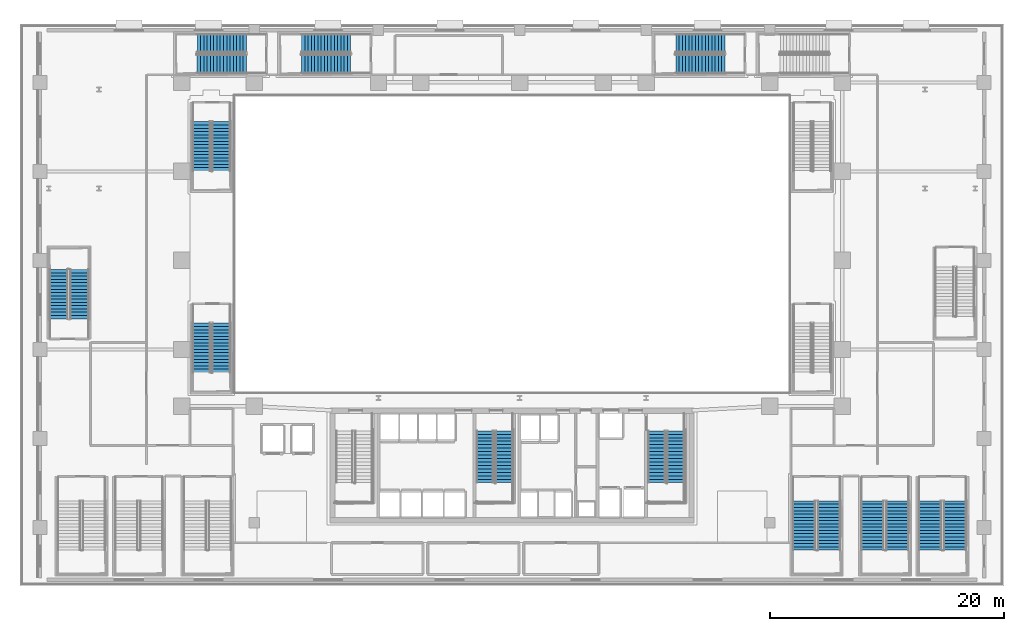
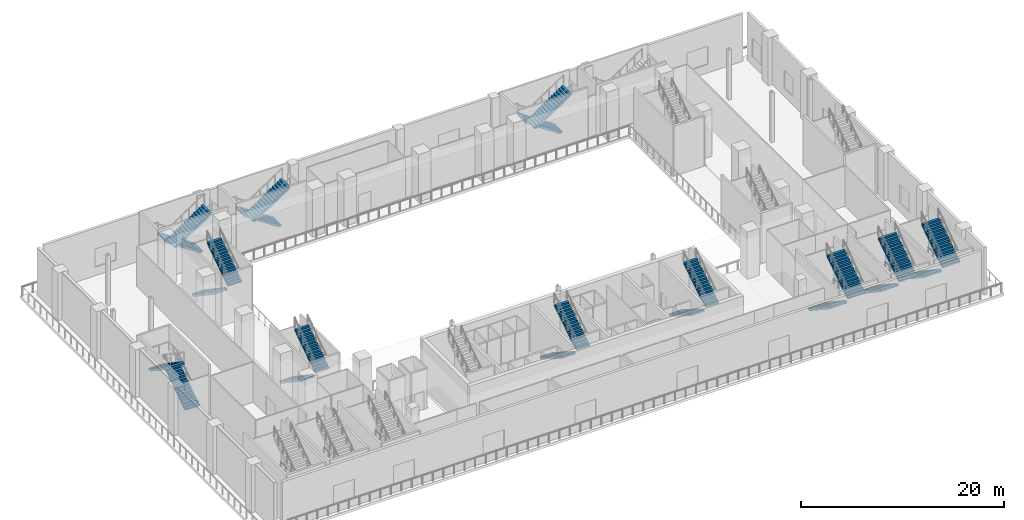
# One storey, part 13 of 29: 22 stair flights, 11 elements without a shape of their own.
"""IFC4 building model written with IfcOpenShell, lengths in metres."""

from ifc_helpers import new_model, si_unit, direction, frame, origin, place, context, subcontext, project, spatial, polyline, outline, extrude, material, type_object, element, aggregate, save


model = new_model("IFC4")

# Units and contexts
model_context = context("Model", 3, precision=1e-05, world=origin(), true_north=direction((0.0, 1.0)))
body_context = subcontext(model_context, "Body", "Model", "MODEL_VIEW")
ifc_project = project(units=[si_unit("LENGTHUNIT", "METRE"), si_unit("AREAUNIT", "SQUARE_METRE"), si_unit("VOLUMEUNIT", "CUBIC_METRE"), si_unit("PLANEANGLEUNIT", "RADIAN"), si_unit("MASSUNIT", "GRAM", prefix="KILO")], contexts=[model_context])

# Site, building, storey
site_placement = place(None, origin())
site = spatial("IfcSite", under=ifc_project, at=site_placement, CompositionType="ELEMENT")
building_placement = place(site_placement, origin())
building = spatial("IfcBuilding", under=site, at=building_placement, Name="Ndaravel Arena Tower", CompositionType="ELEMENT")
storey_placement = place(building_placement, frame((0.0, 0.0, 12.0)))
storey = spatial("IfcBuildingStorey", under=building, at=storey_placement, Name="L02", CompositionType="ELEMENT", Elevation=12.0)

# Stair, stair flights
ifc_material_1 = material(Name="Concrete C40/50", Category="concrete")
stair_type_1 = type_object("IfcStairType", Name="STAIR-ARENA-HT", PredefinedType="HALF_TURN_STAIR", material=ifc_material_1)
stair_1_placement = place(storey_placement, origin())
stair_1 = element("IfcStair", 1, at=stair_1_placement, inside=storey, type_object=stair_type_1, Name="L02 ST-A04", PredefinedType="HALF_TURN_STAIR")
ifc_material_2 = material(Name="Concrete C40/50", Category="concrete")
stair_flight_type_1 = type_object("IfcStairFlightType", Name="SFLIGHT-ARENA-1980", PredefinedType="STRAIGHT", material=ifc_material_2)
stair_flight_1_placement = place(storey_placement, frame((66.93994140625, 7.27001953125, 0.0), z_axis=(0.0, 0.0, 1.0), x_axis=(0.0, -1.0, 0.0)))
stair_flight_1 = element("IfcStairFlight", 2, at=stair_flight_1_placement, type_object=stair_flight_type_1, Name="ST-A04 flight 1", NumberOfRisers=16, NumberOfTreads=15, PredefinedType="STRAIGHT", RiserHeight=0.1875, TreadLength=0.28, context=body_context, shape_type="SweptSolid", body=[
    extrude(outline(polyline([(0.0, 0.0), (0.0, 0.1875), (0.280029296875, 0.1875), (0.280029296875, 0.375), (0.56005859375, 0.375), (0.56005859375, 0.5625), (0.840087890625, 0.5625), (0.840087890625, 0.75), (1.1201171875, 0.75), (1.1201171875, 0.9375), (1.39990234375, 0.9375), (1.39990234375, 1.125), (1.679931640625, 1.125), (1.679931640625, 1.3125), (1.9599609375, 1.3125), (1.9599609375, 1.5), (2.239990234375, 1.5), (2.239990234375, 1.6875), (2.52001953125, 1.6875), (2.52001953125, 1.875), (2.800048828125, 1.875), (2.800048828125, 2.0625), (3.080078125, 2.0625), (3.080078125, 2.25), (3.360107421875, 2.25), (3.360107421875, 2.4375), (3.639892578125, 2.4375), (3.639892578125, 2.625), (3.919921875, 2.625), (3.919921875, 2.8125), (4.199951171875, 2.8125), (4.199951171875, 3.0), (4.199951171875, 2.57177734375), (0.359375, 0.0), (0.0, 0.0)])), frame((0.0, 0.989990234375, 0.0), z_axis=(0.0, -1.0, 0.0), x_axis=(1.0, 0.0, 0.0)), (0.0, 0.0, 1.0), 1.97998046875),
])
stair_flight_2_placement = place(storey_placement, frame((69.06005859375, 3.070068359375, 3.0), z_axis=(0.0, 0.0, 1.0), x_axis=(0.0, 1.0, 0.0)))
stair_flight_2 = element("IfcStairFlight", 3, at=stair_flight_2_placement, type_object=stair_flight_type_1, Name="ST-A04 flight 2", NumberOfRisers=16, NumberOfTreads=15, PredefinedType="STRAIGHT", RiserHeight=0.1875, TreadLength=0.28, context=body_context, shape_type="SweptSolid", body=[
    extrude(outline(polyline([(0.0, 0.0), (0.0, 0.1875), (0.280029296875, 0.1875), (0.280029296875, 0.375), (0.56005859375, 0.375), (0.56005859375, 0.5625), (0.840087890625, 0.5625), (0.840087890625, 0.75), (1.1201171875, 0.75), (1.1201171875, 0.9375), (1.39990234375, 0.9375), (1.39990234375, 1.125), (1.679931640625, 1.125), (1.679931640625, 1.3125), (1.9599609375, 1.3125), (1.9599609375, 1.5), (2.239990234375, 1.5), (2.239990234375, 1.6875), (2.52001953125, 1.6875), (2.52001953125, 1.875), (2.800048828125, 1.875), (2.800048828125, 2.0625), (3.080078125, 2.0625), (3.080078125, 2.25), (3.360107421875, 2.25), (3.360107421875, 2.4375), (3.639892578125, 2.4375), (3.639892578125, 2.625), (3.919921875, 2.625), (3.919921875, 2.8125), (4.199951171875, 2.8125), (4.199951171875, 3.0), (4.199951171875, 2.57177734375), (0.359375, 0.0), (0.0, 0.0)])), frame((0.0, 0.989990234375, 0.0), z_axis=(0.0, -1.0, 0.0), x_axis=(1.0, 0.0, 0.0)), (0.0, 0.0, 1.0), 1.97998046875),
])
aggregate(stair_1, [stair_flight_1, stair_flight_2])

stair_2_placement = place(storey_placement, origin())
stair_2 = element("IfcStair", 4, at=stair_2_placement, inside=storey, type_object=stair_type_1, Name="L02 ST-A05", PredefinedType="HALF_TURN_STAIR")
stair_flight_3_placement = place(storey_placement, frame((72.7900390625, 7.27001953125, 0.0), z_axis=(0.0, 0.0, 1.0), x_axis=(0.0, -1.0, 0.0)))
stair_flight_3 = element("IfcStairFlight", 5, at=stair_flight_3_placement, type_object=stair_flight_type_1, Name="ST-A05 flight 1", NumberOfRisers=16, NumberOfTreads=15, PredefinedType="STRAIGHT", RiserHeight=0.1875, TreadLength=0.28, context=body_context, shape_type="SweptSolid", body=[
    extrude(outline(polyline([(0.0, 0.0), (0.0, 0.1875), (0.280029296875, 0.1875), (0.280029296875, 0.375), (0.56005859375, 0.375), (0.56005859375, 0.5625), (0.840087890625, 0.5625), (0.840087890625, 0.75), (1.1201171875, 0.75), (1.1201171875, 0.9375), (1.39990234375, 0.9375), (1.39990234375, 1.125), (1.679931640625, 1.125), (1.679931640625, 1.3125), (1.9599609375, 1.3125), (1.9599609375, 1.5), (2.239990234375, 1.5), (2.239990234375, 1.6875), (2.52001953125, 1.6875), (2.52001953125, 1.875), (2.800048828125, 1.875), (2.800048828125, 2.0625), (3.080078125, 2.0625), (3.080078125, 2.25), (3.360107421875, 2.25), (3.360107421875, 2.4375), (3.639892578125, 2.4375), (3.639892578125, 2.625), (3.919921875, 2.625), (3.919921875, 2.8125), (4.199951171875, 2.8125), (4.199951171875, 3.0), (4.199951171875, 2.57177734375), (0.359375, 0.0), (0.0, 0.0)])), frame((0.0, 0.989990234375, 0.0), z_axis=(0.0, -1.0, 0.0), x_axis=(1.0, 0.0, 0.0)), (0.0, 0.0, 1.0), 1.97998046875),
])
stair_flight_4_placement = place(storey_placement, frame((74.909912109375, 3.070068359375, 3.0), z_axis=(0.0, 0.0, 1.0), x_axis=(0.0, 1.0, 0.0)))
stair_flight_4 = element("IfcStairFlight", 6, at=stair_flight_4_placement, type_object=stair_flight_type_1, Name="ST-A05 flight 2", NumberOfRisers=16, NumberOfTreads=15, PredefinedType="STRAIGHT", RiserHeight=0.1875, TreadLength=0.28, context=body_context, shape_type="SweptSolid", body=[
    extrude(outline(polyline([(0.0, 0.0), (0.0, 0.1875), (0.280029296875, 0.1875), (0.280029296875, 0.375), (0.56005859375, 0.375), (0.56005859375, 0.5625), (0.840087890625, 0.5625), (0.840087890625, 0.75), (1.1201171875, 0.75), (1.1201171875, 0.9375), (1.39990234375, 0.9375), (1.39990234375, 1.125), (1.679931640625, 1.125), (1.679931640625, 1.3125), (1.9599609375, 1.3125), (1.9599609375, 1.5), (2.239990234375, 1.5), (2.239990234375, 1.6875), (2.52001953125, 1.6875), (2.52001953125, 1.875), (2.800048828125, 1.875), (2.800048828125, 2.0625), (3.080078125, 2.0625), (3.080078125, 2.25), (3.360107421875, 2.25), (3.360107421875, 2.4375), (3.639892578125, 2.4375), (3.639892578125, 2.625), (3.919921875, 2.625), (3.919921875, 2.8125), (4.199951171875, 2.8125), (4.199951171875, 3.0), (4.199951171875, 2.57177734375), (0.359375, 0.0), (0.0, 0.0)])), frame((0.0, 0.989990234375, 0.0), z_axis=(0.0, -1.0, 0.0), x_axis=(1.0, 0.0, 0.0)), (0.0, 0.0, 1.0), 1.97998046875),
])
aggregate(stair_2, [stair_flight_3, stair_flight_4])

stair_3_placement = place(storey_placement, origin())
stair_3 = element("IfcStair", 7, at=stair_3_placement, inside=storey, type_object=stair_type_1, Name="L02 ST-A06", PredefinedType="HALF_TURN_STAIR")
stair_flight_5_placement = place(storey_placement, frame((77.68994140625, 7.27001953125, 0.0), z_axis=(0.0, 0.0, 1.0), x_axis=(0.0, -1.0, 0.0)))
stair_flight_5 = element("IfcStairFlight", 8, at=stair_flight_5_placement, type_object=stair_flight_type_1, Name="ST-A06 flight 1", NumberOfRisers=16, NumberOfTreads=15, PredefinedType="STRAIGHT", RiserHeight=0.1875, TreadLength=0.28, context=body_context, shape_type="SweptSolid", body=[
    extrude(outline(polyline([(0.0, 0.0), (0.0, 0.1875), (0.280029296875, 0.1875), (0.280029296875, 0.375), (0.56005859375, 0.375), (0.56005859375, 0.5625), (0.840087890625, 0.5625), (0.840087890625, 0.75), (1.1201171875, 0.75), (1.1201171875, 0.9375), (1.39990234375, 0.9375), (1.39990234375, 1.125), (1.679931640625, 1.125), (1.679931640625, 1.3125), (1.9599609375, 1.3125), (1.9599609375, 1.5), (2.239990234375, 1.5), (2.239990234375, 1.6875), (2.52001953125, 1.6875), (2.52001953125, 1.875), (2.800048828125, 1.875), (2.800048828125, 2.0625), (3.080078125, 2.0625), (3.080078125, 2.25), (3.360107421875, 2.25), (3.360107421875, 2.4375), (3.639892578125, 2.4375), (3.639892578125, 2.625), (3.919921875, 2.625), (3.919921875, 2.8125), (4.199951171875, 2.8125), (4.199951171875, 3.0), (4.199951171875, 2.57177734375), (0.359375, 0.0), (0.0, 0.0)])), frame((0.0, 0.989990234375, 0.0), z_axis=(0.0, -1.0, 0.0), x_axis=(1.0, 0.0, 0.0)), (0.0, 0.0, 1.0), 1.97998046875),
])
stair_flight_6_placement = place(storey_placement, frame((79.81005859375, 3.070068359375, 3.0), z_axis=(0.0, 0.0, 1.0), x_axis=(0.0, 1.0, 0.0)))
stair_flight_6 = element("IfcStairFlight", 9, at=stair_flight_6_placement, type_object=stair_flight_type_1, Name="ST-A06 flight 2", NumberOfRisers=16, NumberOfTreads=15, PredefinedType="STRAIGHT", RiserHeight=0.1875, TreadLength=0.28, context=body_context, shape_type="SweptSolid", body=[
    extrude(outline(polyline([(0.0, 0.0), (0.0, 0.1875), (0.280029296875, 0.1875), (0.280029296875, 0.375), (0.56005859375, 0.375), (0.56005859375, 0.5625), (0.840087890625, 0.5625), (0.840087890625, 0.75), (1.1201171875, 0.75), (1.1201171875, 0.9375), (1.39990234375, 0.9375), (1.39990234375, 1.125), (1.679931640625, 1.125), (1.679931640625, 1.3125), (1.9599609375, 1.3125), (1.9599609375, 1.5), (2.239990234375, 1.5), (2.239990234375, 1.6875), (2.52001953125, 1.6875), (2.52001953125, 1.875), (2.800048828125, 1.875), (2.800048828125, 2.0625), (3.080078125, 2.0625), (3.080078125, 2.25), (3.360107421875, 2.25), (3.360107421875, 2.4375), (3.639892578125, 2.4375), (3.639892578125, 2.625), (3.919921875, 2.625), (3.919921875, 2.8125), (4.199951171875, 2.8125), (4.199951171875, 3.0), (4.199951171875, 2.57177734375), (0.359375, 0.0), (0.0, 0.0)])), frame((0.0, 0.989990234375, 0.0), z_axis=(0.0, -1.0, 0.0), x_axis=(1.0, 0.0, 0.0)), (0.0, 0.0, 1.0), 1.97998046875),
])
aggregate(stair_3, [stair_flight_5, stair_flight_6])

ifc_material_3 = material(Name="Concrete C40/50", Category="concrete")
stair_type_2 = type_object("IfcStairType", Name="STAIR-POD-QT", PredefinedType="QUARTER_TURN_STAIR", material=ifc_material_3)
stair_4_placement = place(storey_placement, origin())
stair_4 = element("IfcStair", 10, at=stair_4_placement, inside=storey, type_object=stair_type_2, Name="L02 ST-A07", PredefinedType="QUARTER_TURN_STAIR")
stair_flight_7_placement = place(storey_placement, frame((5.070068359375, 22.820068359375, 0.0), z_axis=(0.0, 0.0, 1.0), x_axis=(0.0, 1.0, 0.0)))
stair_flight_7 = element("IfcStairFlight", 11, at=stair_flight_7_placement, type_object=stair_flight_type_1, Name="ST-A07 flight 1", NumberOfRisers=16, NumberOfTreads=15, PredefinedType="STRAIGHT", RiserHeight=0.1875, TreadLength=0.28, context=body_context, shape_type="SweptSolid", body=[
    extrude(outline(polyline([(0.0, 0.0), (0.0, 0.1875), (0.280029296875, 0.1875), (0.280029296875, 0.375), (0.56005859375, 0.375), (0.56005859375, 0.5625), (0.840087890625, 0.5625), (0.840087890625, 0.75), (1.1201171875, 0.75), (1.1201171875, 0.9375), (1.39990234375, 0.9375), (1.39990234375, 1.125), (1.679931640625, 1.125), (1.679931640625, 1.3125), (1.9599609375, 1.3125), (1.9599609375, 1.5), (2.239990234375, 1.5), (2.239990234375, 1.6875), (2.52001953125, 1.6875), (2.52001953125, 1.875), (2.800048828125, 1.875), (2.800048828125, 2.0625), (3.080078125, 2.0625), (3.080078125, 2.25), (3.360107421875, 2.25), (3.360107421875, 2.4375), (3.639892578125, 2.4375), (3.639892578125, 2.625), (3.919921875, 2.625), (3.919921875, 2.8125), (4.199951171875, 2.8125), (4.199951171875, 3.0), (4.199951171875, 2.57177734375), (0.359375, 0.0), (0.0, 0.0)])), frame((0.0, 0.81005859375, 0.0), z_axis=(0.0, -1.0, 0.0), x_axis=(1.0, 0.0, 0.0)), (0.0, 0.0, 1.0), 1.6201171875),
])
stair_flight_8_placement = place(storey_placement, frame((3.31005859375, 27.02001953125, 3.0), z_axis=(0.0, 0.0, 1.0), x_axis=(0.0, -1.0, 0.0)))
stair_flight_8 = element("IfcStairFlight", 12, at=stair_flight_8_placement, type_object=stair_flight_type_1, Name="ST-A07 flight 2", NumberOfRisers=16, NumberOfTreads=15, PredefinedType="STRAIGHT", RiserHeight=0.1875, TreadLength=0.28, context=body_context, shape_type="SweptSolid", body=[
    extrude(outline(polyline([(0.0, 0.0), (0.0, 0.1875), (0.280029296875, 0.1875), (0.280029296875, 0.375), (0.56005859375, 0.375), (0.56005859375, 0.5625), (0.840087890625, 0.5625), (0.840087890625, 0.75), (1.1201171875, 0.75), (1.1201171875, 0.9375), (1.39990234375, 0.9375), (1.39990234375, 1.125), (1.679931640625, 1.125), (1.679931640625, 1.3125), (1.9599609375, 1.3125), (1.9599609375, 1.5), (2.239990234375, 1.5), (2.239990234375, 1.6875), (2.52001953125, 1.6875), (2.52001953125, 1.875), (2.800048828125, 1.875), (2.800048828125, 2.0625), (3.080078125, 2.0625), (3.080078125, 2.25), (3.360107421875, 2.25), (3.360107421875, 2.4375), (3.639892578125, 2.4375), (3.639892578125, 2.625), (3.919921875, 2.625), (3.919921875, 2.8125), (4.199951171875, 2.8125), (4.199951171875, 3.0), (4.199951171875, 2.57177734375), (0.359375, 0.0), (0.0, 0.0)])), frame((0.0, 0.81005859375, 0.0), z_axis=(0.0, -1.0, 0.0), x_axis=(1.0, 0.0, 0.0)), (0.0, 0.0, 1.0), 1.6201171875),
])
aggregate(stair_4, [stair_flight_7, stair_flight_8])

stair_5_placement = place(storey_placement, origin())
stair_5 = element("IfcStair", 13, at=stair_5_placement, inside=storey, type_object=stair_type_2, Name="L02 ST-A08", PredefinedType="QUARTER_TURN_STAIR")
stair_flight_9_placement = place(storey_placement, frame((19.330078125, 46.330078125, 0.0), z_axis=(0.0, 0.0, 1.0), x_axis=(-1.0, 0.0, 0.0)))
stair_flight_9 = element("IfcStairFlight", 14, at=stair_flight_9_placement, type_object=stair_flight_type_1, Name="ST-A08 flight 1", NumberOfRisers=16, NumberOfTreads=15, PredefinedType="STRAIGHT", RiserHeight=0.1875, TreadLength=0.28, context=body_context, shape_type="SweptSolid", body=[
    extrude(outline(polyline([(0.0, 0.0), (0.0, 0.1875), (0.280029296875, 0.1875), (0.280029296875, 0.375), (0.56005859375, 0.375), (0.56005859375, 0.5625), (0.840087890625, 0.5625), (0.840087890625, 0.75), (1.1201171875, 0.75), (1.1201171875, 0.9375), (1.39990234375, 0.9375), (1.39990234375, 1.125), (1.679931640625, 1.125), (1.679931640625, 1.3125), (1.9599609375, 1.3125), (1.9599609375, 1.5), (2.239990234375, 1.5), (2.239990234375, 1.6875), (2.52001953125, 1.6875), (2.52001953125, 1.875), (2.800048828125, 1.875), (2.800048828125, 2.0625), (3.080078125, 2.0625), (3.080078125, 2.25), (3.360107421875, 2.25), (3.360107421875, 2.4375), (3.639892578125, 2.4375), (3.639892578125, 2.625), (3.919921875, 2.625), (3.919921875, 2.8125), (4.199951171875, 2.8125), (4.199951171875, 3.0), (4.199951171875, 2.57177734375), (0.359375, 0.0), (0.0, 0.0)])), frame((0.0, 0.81005859375, 0.0), z_axis=(0.0, -1.0, 0.0), x_axis=(1.0, 0.0, 0.0)), (0.0, 0.0, 1.0), 1.6201171875),
])
stair_flight_10_placement = place(storey_placement, frame((15.1298828125, 44.570068359375, 3.0), z_axis=(0.0, 0.0, 1.0), x_axis=(1.0, 0.0, 0.0)))
stair_flight_10 = element("IfcStairFlight", 15, at=stair_flight_10_placement, type_object=stair_flight_type_1, Name="ST-A08 flight 2", NumberOfRisers=16, NumberOfTreads=15, PredefinedType="STRAIGHT", RiserHeight=0.1875, TreadLength=0.28, context=body_context, shape_type="SweptSolid", body=[
    extrude(outline(polyline([(0.0, 0.0), (0.0, 0.1875), (0.280029296875, 0.1875), (0.280029296875, 0.375), (0.56005859375, 0.375), (0.56005859375, 0.5625), (0.840087890625, 0.5625), (0.840087890625, 0.75), (1.1201171875, 0.75), (1.1201171875, 0.9375), (1.39990234375, 0.9375), (1.39990234375, 1.125), (1.679931640625, 1.125), (1.679931640625, 1.3125), (1.9599609375, 1.3125), (1.9599609375, 1.5), (2.239990234375, 1.5), (2.239990234375, 1.6875), (2.52001953125, 1.6875), (2.52001953125, 1.875), (2.800048828125, 1.875), (2.800048828125, 2.0625), (3.080078125, 2.0625), (3.080078125, 2.25), (3.360107421875, 2.25), (3.360107421875, 2.4375), (3.639892578125, 2.4375), (3.639892578125, 2.625), (3.919921875, 2.625), (3.919921875, 2.8125), (4.199951171875, 2.8125), (4.199951171875, 3.0), (4.199951171875, 2.57177734375), (0.359375, 0.0), (0.0, 0.0)])), frame((0.0, 0.81005859375, 0.0), z_axis=(0.0, -1.0, 0.0), x_axis=(1.0, 0.0, 0.0)), (0.0, 0.0, 1.0), 1.6201171875),
])
aggregate(stair_5, [stair_flight_9, stair_flight_10])

stair_6_placement = place(storey_placement, origin())
stair_6 = element("IfcStair", 16, at=stair_6_placement, inside=storey, type_object=stair_type_2, Name="L02 ST-A09", PredefinedType="QUARTER_TURN_STAIR")
stair_flight_11_placement = place(storey_placement, frame((28.22998046875, 46.330078125, 0.0), z_axis=(0.0, 0.0, 1.0), x_axis=(-1.0, 0.0, 0.0)))
stair_flight_11 = element("IfcStairFlight", 17, at=stair_flight_11_placement, type_object=stair_flight_type_1, Name="ST-A09 flight 1", NumberOfRisers=16, NumberOfTreads=15, PredefinedType="STRAIGHT", RiserHeight=0.1875, TreadLength=0.28, context=body_context, shape_type="SweptSolid", body=[
    extrude(outline(polyline([(0.0, 0.0), (0.0, 0.1875), (0.280029296875, 0.1875), (0.280029296875, 0.375), (0.56005859375, 0.375), (0.56005859375, 0.5625), (0.840087890625, 0.5625), (0.840087890625, 0.75), (1.1201171875, 0.75), (1.1201171875, 0.9375), (1.39990234375, 0.9375), (1.39990234375, 1.125), (1.679931640625, 1.125), (1.679931640625, 1.3125), (1.9599609375, 1.3125), (1.9599609375, 1.5), (2.239990234375, 1.5), (2.239990234375, 1.6875), (2.52001953125, 1.6875), (2.52001953125, 1.875), (2.800048828125, 1.875), (2.800048828125, 2.0625), (3.080078125, 2.0625), (3.080078125, 2.25), (3.360107421875, 2.25), (3.360107421875, 2.4375), (3.639892578125, 2.4375), (3.639892578125, 2.625), (3.919921875, 2.625), (3.919921875, 2.8125), (4.199951171875, 2.8125), (4.199951171875, 3.0), (4.199951171875, 2.57177734375), (0.359375, 0.0), (0.0, 0.0)])), frame((0.0, 0.81005859375, 0.0), z_axis=(0.0, -1.0, 0.0), x_axis=(1.0, 0.0, 0.0)), (0.0, 0.0, 1.0), 1.6201171875),
])
stair_flight_12_placement = place(storey_placement, frame((24.030029296875, 44.570068359375, 3.0), z_axis=(0.0, 0.0, 1.0), x_axis=(1.0, 0.0, 0.0)))
stair_flight_12 = element("IfcStairFlight", 18, at=stair_flight_12_placement, type_object=stair_flight_type_1, Name="ST-A09 flight 2", NumberOfRisers=16, NumberOfTreads=15, PredefinedType="STRAIGHT", RiserHeight=0.1875, TreadLength=0.28, context=body_context, shape_type="SweptSolid", body=[
    extrude(outline(polyline([(0.0, 0.0), (0.0, 0.1875), (0.280029296875, 0.1875), (0.280029296875, 0.375), (0.56005859375, 0.375), (0.56005859375, 0.5625), (0.840087890625, 0.5625), (0.840087890625, 0.75), (1.1201171875, 0.75), (1.1201171875, 0.9375), (1.39990234375, 0.9375), (1.39990234375, 1.125), (1.679931640625, 1.125), (1.679931640625, 1.3125), (1.9599609375, 1.3125), (1.9599609375, 1.5), (2.239990234375, 1.5), (2.239990234375, 1.6875), (2.52001953125, 1.6875), (2.52001953125, 1.875), (2.800048828125, 1.875), (2.800048828125, 2.0625), (3.080078125, 2.0625), (3.080078125, 2.25), (3.360107421875, 2.25), (3.360107421875, 2.4375), (3.639892578125, 2.4375), (3.639892578125, 2.625), (3.919921875, 2.625), (3.919921875, 2.8125), (4.199951171875, 2.8125), (4.199951171875, 3.0), (4.199951171875, 2.57177734375), (0.359375, 0.0), (0.0, 0.0)])), frame((0.0, 0.81005859375, 0.0), z_axis=(0.0, -1.0, 0.0), x_axis=(1.0, 0.0, 0.0)), (0.0, 0.0, 1.0), 1.6201171875),
])
aggregate(stair_6, [stair_flight_11, stair_flight_12])

stair_7_placement = place(storey_placement, origin())
stair_7 = element("IfcStair", 19, at=stair_7_placement, inside=storey, type_object=stair_type_2, Name="L02 ST-A10", PredefinedType="QUARTER_TURN_STAIR")
stair_flight_13_placement = place(storey_placement, frame((60.179931640625, 46.330078125, 0.0), z_axis=(0.0, 0.0, 1.0), x_axis=(-1.0, 0.0, 0.0)))
stair_flight_13 = element("IfcStairFlight", 20, at=stair_flight_13_placement, type_object=stair_flight_type_1, Name="ST-A10 flight 1", NumberOfRisers=16, NumberOfTreads=15, PredefinedType="STRAIGHT", RiserHeight=0.1875, TreadLength=0.28, context=body_context, shape_type="SweptSolid", body=[
    extrude(outline(polyline([(0.0, 0.0), (0.0, 0.1875), (0.280029296875, 0.1875), (0.280029296875, 0.375), (0.56005859375, 0.375), (0.56005859375, 0.5625), (0.840087890625, 0.5625), (0.840087890625, 0.75), (1.1201171875, 0.75), (1.1201171875, 0.9375), (1.39990234375, 0.9375), (1.39990234375, 1.125), (1.679931640625, 1.125), (1.679931640625, 1.3125), (1.9599609375, 1.3125), (1.9599609375, 1.5), (2.239990234375, 1.5), (2.239990234375, 1.6875), (2.52001953125, 1.6875), (2.52001953125, 1.875), (2.800048828125, 1.875), (2.800048828125, 2.0625), (3.080078125, 2.0625), (3.080078125, 2.25), (3.360107421875, 2.25), (3.360107421875, 2.4375), (3.639892578125, 2.4375), (3.639892578125, 2.625), (3.919921875, 2.625), (3.919921875, 2.8125), (4.199951171875, 2.8125), (4.199951171875, 3.0), (4.199951171875, 2.57177734375), (0.359375, 0.0), (0.0, 0.0)])), frame((0.0, 0.81005859375, 0.0), z_axis=(0.0, -1.0, 0.0), x_axis=(1.0, 0.0, 0.0)), (0.0, 0.0, 1.0), 1.6201171875),
])
stair_flight_14_placement = place(storey_placement, frame((55.97998046875, 44.570068359375, 3.0), z_axis=(0.0, 0.0, 1.0), x_axis=(1.0, 0.0, 0.0)))
stair_flight_14 = element("IfcStairFlight", 21, at=stair_flight_14_placement, type_object=stair_flight_type_1, Name="ST-A10 flight 2", NumberOfRisers=16, NumberOfTreads=15, PredefinedType="STRAIGHT", RiserHeight=0.1875, TreadLength=0.28, context=body_context, shape_type="SweptSolid", body=[
    extrude(outline(polyline([(0.0, 0.0), (0.0, 0.1875), (0.280029296875, 0.1875), (0.280029296875, 0.375), (0.56005859375, 0.375), (0.56005859375, 0.5625), (0.840087890625, 0.5625), (0.840087890625, 0.75), (1.1201171875, 0.75), (1.1201171875, 0.9375), (1.39990234375, 0.9375), (1.39990234375, 1.125), (1.679931640625, 1.125), (1.679931640625, 1.3125), (1.9599609375, 1.3125), (1.9599609375, 1.5), (2.239990234375, 1.5), (2.239990234375, 1.6875), (2.52001953125, 1.6875), (2.52001953125, 1.875), (2.800048828125, 1.875), (2.800048828125, 2.0625), (3.080078125, 2.0625), (3.080078125, 2.25), (3.360107421875, 2.25), (3.360107421875, 2.4375), (3.639892578125, 2.4375), (3.639892578125, 2.625), (3.919921875, 2.625), (3.919921875, 2.8125), (4.199951171875, 2.8125), (4.199951171875, 3.0), (4.199951171875, 2.57177734375), (0.359375, 0.0), (0.0, 0.0)])), frame((0.0, 0.81005859375, 0.0), z_axis=(0.0, -1.0, 0.0), x_axis=(1.0, 0.0, 0.0)), (0.0, 0.0, 1.0), 1.6201171875),
])
aggregate(stair_7, [stair_flight_13, stair_flight_14])

ifc_material_4 = material(Name="Concrete C40/50", Category="concrete")
stair_type_3 = type_object("IfcStairType", Name="STAIR-CORE-HT", PredefinedType="HALF_TURN_STAIR", material=ifc_material_4)
stair_8_placement = place(storey_placement, origin())
stair_8 = element("IfcStair", 22, at=stair_8_placement, inside=storey, type_object=stair_type_3, Name="L02 ST-2", PredefinedType="HALF_TURN_STAIR")
ifc_material_5 = material(Name="Concrete C40/50", Category="concrete")
stair_flight_type_2 = type_object("IfcStairFlightType", Name="SFLIGHT-CORE-1680", PredefinedType="STRAIGHT", material=ifc_material_5)
stair_flight_15_placement = place(storey_placement, frame((39.699951171875, 13.25, 0.0), z_axis=(0.0, 0.0, 1.0), x_axis=(0.0, -1.0, 0.0)))
stair_flight_15 = element("IfcStairFlight", 23, at=stair_flight_15_placement, type_object=stair_flight_type_2, Name="ST-2 flight 1", NumberOfRisers=16, NumberOfTreads=15, PredefinedType="STRAIGHT", RiserHeight=0.1875, TreadLength=0.295, context=body_context, shape_type="SweptSolid", body=[
    extrude(outline(polyline([(0.0, 0.0), (0.0, 0.1875), (0.294921875, 0.1875), (0.294921875, 0.375), (0.590087890625, 0.375), (0.590087890625, 0.5625), (0.885009765625, 0.5625), (0.885009765625, 0.75), (1.179931640625, 0.75), (1.179931640625, 0.9375), (1.47509765625, 0.9375), (1.47509765625, 1.125), (1.77001953125, 1.125), (1.77001953125, 1.3125), (2.06494140625, 1.3125), (2.06494140625, 1.5), (2.360107421875, 1.5), (2.360107421875, 1.6875), (2.655029296875, 1.6875), (2.655029296875, 1.875), (2.949951171875, 1.875), (2.949951171875, 2.0625), (3.2451171875, 2.0625), (3.2451171875, 2.25), (3.5400390625, 2.25), (3.5400390625, 2.4375), (3.8349609375, 2.4375), (3.8349609375, 2.625), (4.1298828125, 2.625), (4.1298828125, 2.8125), (4.425048828125, 2.8125), (4.425048828125, 3.0), (4.425048828125, 2.599365234375), (0.33544921875, 0.0), (0.0, 0.0)])), frame((0.0, 0.75, 0.0), z_axis=(0.0, -1.0, 0.0), x_axis=(1.0, 0.0, 0.0)), (0.0, 0.0, 1.0), 1.5),
])
stair_flight_16_placement = place(storey_placement, frame((41.340087890625, 8.824951171875, 3.0), z_axis=(0.0, 0.0, 1.0), x_axis=(0.0, 1.0, 0.0)))
stair_flight_16 = element("IfcStairFlight", 24, at=stair_flight_16_placement, type_object=stair_flight_type_2, Name="ST-2 flight 2", NumberOfRisers=16, NumberOfTreads=15, PredefinedType="STRAIGHT", RiserHeight=0.1875, TreadLength=0.295, context=body_context, shape_type="SweptSolid", body=[
    extrude(outline(polyline([(0.0, 0.0), (0.0, 0.1875), (0.294921875, 0.1875), (0.294921875, 0.375), (0.590087890625, 0.375), (0.590087890625, 0.5625), (0.885009765625, 0.5625), (0.885009765625, 0.75), (1.179931640625, 0.75), (1.179931640625, 0.9375), (1.47509765625, 0.9375), (1.47509765625, 1.125), (1.77001953125, 1.125), (1.77001953125, 1.3125), (2.06494140625, 1.3125), (2.06494140625, 1.5), (2.360107421875, 1.5), (2.360107421875, 1.6875), (2.655029296875, 1.6875), (2.655029296875, 1.875), (2.949951171875, 1.875), (2.949951171875, 2.0625), (3.2451171875, 2.0625), (3.2451171875, 2.25), (3.5400390625, 2.25), (3.5400390625, 2.4375), (3.8349609375, 2.4375), (3.8349609375, 2.625), (4.1298828125, 2.625), (4.1298828125, 2.8125), (4.425048828125, 2.8125), (4.425048828125, 3.0), (4.425048828125, 2.599365234375), (0.33544921875, 0.0), (0.0, 0.0)])), frame((0.0, 0.75, 0.0), z_axis=(0.0, -1.0, 0.0), x_axis=(1.0, 0.0, 0.0)), (0.0, 0.0, 1.0), 1.5),
])
aggregate(stair_8, [stair_flight_15, stair_flight_16])

stair_9_placement = place(storey_placement, origin())
stair_9 = element("IfcStair", 25, at=stair_9_placement, inside=storey, type_object=stair_type_3, Name="L02 ST-3", PredefinedType="HALF_TURN_STAIR")
stair_flight_17_placement = place(storey_placement, frame((54.35009765625, 13.25, 0.0), z_axis=(0.0, 0.0, 1.0), x_axis=(0.0, -1.0, 0.0)))
stair_flight_17 = element("IfcStairFlight", 26, at=stair_flight_17_placement, type_object=stair_flight_type_2, Name="ST-3 flight 1", NumberOfRisers=16, NumberOfTreads=15, PredefinedType="STRAIGHT", RiserHeight=0.1875, TreadLength=0.295, context=body_context, shape_type="SweptSolid", body=[
    extrude(outline(polyline([(0.0, 0.0), (0.0, 0.1875), (0.294921875, 0.1875), (0.294921875, 0.375), (0.590087890625, 0.375), (0.590087890625, 0.5625), (0.885009765625, 0.5625), (0.885009765625, 0.75), (1.179931640625, 0.75), (1.179931640625, 0.9375), (1.47509765625, 0.9375), (1.47509765625, 1.125), (1.77001953125, 1.125), (1.77001953125, 1.3125), (2.06494140625, 1.3125), (2.06494140625, 1.5), (2.360107421875, 1.5), (2.360107421875, 1.6875), (2.655029296875, 1.6875), (2.655029296875, 1.875), (2.949951171875, 1.875), (2.949951171875, 2.0625), (3.2451171875, 2.0625), (3.2451171875, 2.25), (3.5400390625, 2.25), (3.5400390625, 2.4375), (3.8349609375, 2.4375), (3.8349609375, 2.625), (4.1298828125, 2.625), (4.1298828125, 2.8125), (4.425048828125, 2.8125), (4.425048828125, 3.0), (4.425048828125, 2.599365234375), (0.33544921875, 0.0), (0.0, 0.0)])), frame((0.0, 0.75, 0.0), z_axis=(0.0, -1.0, 0.0), x_axis=(1.0, 0.0, 0.0)), (0.0, 0.0, 1.0), 1.5),
])
stair_flight_18_placement = place(storey_placement, frame((55.989990234375, 8.824951171875, 3.0), z_axis=(0.0, 0.0, 1.0), x_axis=(0.0, 1.0, 0.0)))
stair_flight_18 = element("IfcStairFlight", 27, at=stair_flight_18_placement, type_object=stair_flight_type_2, Name="ST-3 flight 2", NumberOfRisers=16, NumberOfTreads=15, PredefinedType="STRAIGHT", RiserHeight=0.1875, TreadLength=0.295, context=body_context, shape_type="SweptSolid", body=[
    extrude(outline(polyline([(0.0, 0.0), (0.0, 0.1875), (0.294921875, 0.1875), (0.294921875, 0.375), (0.590087890625, 0.375), (0.590087890625, 0.5625), (0.885009765625, 0.5625), (0.885009765625, 0.75), (1.179931640625, 0.75), (1.179931640625, 0.9375), (1.47509765625, 0.9375), (1.47509765625, 1.125), (1.77001953125, 1.125), (1.77001953125, 1.3125), (2.06494140625, 1.3125), (2.06494140625, 1.5), (2.360107421875, 1.5), (2.360107421875, 1.6875), (2.655029296875, 1.6875), (2.655029296875, 1.875), (2.949951171875, 1.875), (2.949951171875, 2.0625), (3.2451171875, 2.0625), (3.2451171875, 2.25), (3.5400390625, 2.25), (3.5400390625, 2.4375), (3.8349609375, 2.4375), (3.8349609375, 2.625), (4.1298828125, 2.625), (4.1298828125, 2.8125), (4.425048828125, 2.8125), (4.425048828125, 3.0), (4.425048828125, 2.599365234375), (0.33544921875, 0.0), (0.0, 0.0)])), frame((0.0, 0.75, 0.0), z_axis=(0.0, -1.0, 0.0), x_axis=(1.0, 0.0, 0.0)), (0.0, 0.0, 1.0), 1.5),
])
aggregate(stair_9, [stair_flight_17, stair_flight_18])

ifc_material_6 = material(Name="Concrete C40/50", Category="concrete")
stair_type_4 = type_object("IfcStairType", Name="STAIR-VOM-STR", PredefinedType="STRAIGHT_RUN_STAIR", material=ifc_material_6)
stair_10_placement = place(storey_placement, origin())
stair_10 = element("IfcStair", 28, at=stair_10_placement, inside=storey, type_object=stair_type_4, Name="L02 ST-VOM-1", PredefinedType="STRAIGHT_RUN_STAIR")
ifc_material_7 = material(Name="Concrete C40/50", Category="concrete")
stair_flight_type_3 = type_object("IfcStairFlightType", Name="SFLIGHT-VOM-1350", PredefinedType="STRAIGHT", material=ifc_material_7)
stair_flight_19_placement = place(storey_placement, frame((15.47998046875, 22.43994140625, 0.0), z_axis=(0.0, 0.0, 1.0), x_axis=(0.0, -1.0, 0.0)))
stair_flight_19 = element("IfcStairFlight", 29, at=stair_flight_19_placement, type_object=stair_flight_type_3, Name="ST-VOM-1 flight 1", NumberOfRisers=16, NumberOfTreads=15, PredefinedType="STRAIGHT", RiserHeight=0.1875, TreadLength=0.28, context=body_context, shape_type="SweptSolid", body=[
    extrude(outline(polyline([(0.0, 0.0), (0.0, 0.1875), (0.280029296875, 0.1875), (0.280029296875, 0.375), (0.56005859375, 0.375), (0.56005859375, 0.5625), (0.840087890625, 0.5625), (0.840087890625, 0.75), (1.1201171875, 0.75), (1.1201171875, 0.9375), (1.39990234375, 0.9375), (1.39990234375, 1.125), (1.679931640625, 1.125), (1.679931640625, 1.3125), (1.9599609375, 1.3125), (1.9599609375, 1.5), (2.239990234375, 1.5), (2.239990234375, 1.6875), (2.52001953125, 1.6875), (2.52001953125, 1.875), (2.800048828125, 1.875), (2.800048828125, 2.0625), (3.080078125, 2.0625), (3.080078125, 2.25), (3.360107421875, 2.25), (3.360107421875, 2.4375), (3.639892578125, 2.4375), (3.639892578125, 2.625), (3.919921875, 2.625), (3.919921875, 2.8125), (4.199951171875, 2.8125), (4.199951171875, 3.0), (4.199951171875, 2.595947265625), (0.323486328125, 0.0), (0.0, 0.0)])), frame((0.0, 0.780029296875, 0.0), z_axis=(0.0, -1.0, 0.0), x_axis=(1.0, 0.0, 0.0)), (0.0, 0.0, 1.0), 1.56005859375),
])
stair_flight_20_placement = place(storey_placement, frame((17.179931640625, 18.239990234375, 3.0), z_axis=(0.0, 0.0, 1.0), x_axis=(0.0, 1.0, 0.0)))
stair_flight_20 = element("IfcStairFlight", 30, at=stair_flight_20_placement, type_object=stair_flight_type_3, Name="ST-VOM-1 flight 2", NumberOfRisers=16, NumberOfTreads=15, PredefinedType="STRAIGHT", RiserHeight=0.1875, TreadLength=0.28, context=body_context, shape_type="SweptSolid", body=[
    extrude(outline(polyline([(0.0, 0.0), (0.0, 0.1875), (0.280029296875, 0.1875), (0.280029296875, 0.375), (0.56005859375, 0.375), (0.56005859375, 0.5625), (0.840087890625, 0.5625), (0.840087890625, 0.75), (1.1201171875, 0.75), (1.1201171875, 0.9375), (1.39990234375, 0.9375), (1.39990234375, 1.125), (1.679931640625, 1.125), (1.679931640625, 1.3125), (1.9599609375, 1.3125), (1.9599609375, 1.5), (2.239990234375, 1.5), (2.239990234375, 1.6875), (2.52001953125, 1.6875), (2.52001953125, 1.875), (2.800048828125, 1.875), (2.800048828125, 2.0625), (3.080078125, 2.0625), (3.080078125, 2.25), (3.360107421875, 2.25), (3.360107421875, 2.4375), (3.639892578125, 2.4375), (3.639892578125, 2.625), (3.919921875, 2.625), (3.919921875, 2.8125), (4.199951171875, 2.8125), (4.199951171875, 3.0), (4.199951171875, 2.595947265625), (0.323486328125, 0.0), (0.0, 0.0)])), frame((0.0, 0.780029296875, 0.0), z_axis=(0.0, -1.0, 0.0), x_axis=(1.0, 0.0, 0.0)), (0.0, 0.0, 1.0), 1.56005859375),
])
aggregate(stair_10, [stair_flight_19, stair_flight_20])

stair_11_placement = place(storey_placement, origin())
stair_11 = element("IfcStair", 31, at=stair_11_placement, inside=storey, type_object=stair_type_4, Name="L02 ST-VOM-2", PredefinedType="STRAIGHT_RUN_STAIR")
stair_flight_21_placement = place(storey_placement, frame((15.47998046875, 39.639892578125, 0.0), z_axis=(0.0, 0.0, 1.0), x_axis=(0.0, -1.0, 0.0)))
stair_flight_21 = element("IfcStairFlight", 32, at=stair_flight_21_placement, type_object=stair_flight_type_3, Name="ST-VOM-2 flight 1", NumberOfRisers=16, NumberOfTreads=15, PredefinedType="STRAIGHT", RiserHeight=0.1875, TreadLength=0.28, context=body_context, shape_type="SweptSolid", body=[
    extrude(outline(polyline([(0.0, 0.0), (0.0, 0.1875), (0.280029296875, 0.1875), (0.280029296875, 0.375), (0.56005859375, 0.375), (0.56005859375, 0.5625), (0.840087890625, 0.5625), (0.840087890625, 0.75), (1.1201171875, 0.75), (1.1201171875, 0.9375), (1.39990234375, 0.9375), (1.39990234375, 1.125), (1.679931640625, 1.125), (1.679931640625, 1.3125), (1.9599609375, 1.3125), (1.9599609375, 1.5), (2.239990234375, 1.5), (2.239990234375, 1.6875), (2.52001953125, 1.6875), (2.52001953125, 1.875), (2.800048828125, 1.875), (2.800048828125, 2.0625), (3.080078125, 2.0625), (3.080078125, 2.25), (3.360107421875, 2.25), (3.360107421875, 2.4375), (3.639892578125, 2.4375), (3.639892578125, 2.625), (3.919921875, 2.625), (3.919921875, 2.8125), (4.199951171875, 2.8125), (4.199951171875, 3.0), (4.199951171875, 2.595947265625), (0.323486328125, 0.0), (0.0, 0.0)])), frame((0.0, 0.780029296875, 0.0), z_axis=(0.0, -1.0, 0.0), x_axis=(1.0, 0.0, 0.0)), (0.0, 0.0, 1.0), 1.56005859375),
])
stair_flight_22_placement = place(storey_placement, frame((17.179931640625, 35.43994140625, 3.0), z_axis=(0.0, 0.0, 1.0), x_axis=(0.0, 1.0, 0.0)))
stair_flight_22 = element("IfcStairFlight", 33, at=stair_flight_22_placement, type_object=stair_flight_type_3, Name="ST-VOM-2 flight 2", NumberOfRisers=16, NumberOfTreads=15, PredefinedType="STRAIGHT", RiserHeight=0.1875, TreadLength=0.28, context=body_context, shape_type="SweptSolid", body=[
    extrude(outline(polyline([(0.0, 0.0), (0.0, 0.1875), (0.280029296875, 0.1875), (0.280029296875, 0.375), (0.56005859375, 0.375), (0.56005859375, 0.5625), (0.840087890625, 0.5625), (0.840087890625, 0.75), (1.1201171875, 0.75), (1.1201171875, 0.9375), (1.39990234375, 0.9375), (1.39990234375, 1.125), (1.679931640625, 1.125), (1.679931640625, 1.3125), (1.9599609375, 1.3125), (1.9599609375, 1.5), (2.239990234375, 1.5), (2.239990234375, 1.6875), (2.52001953125, 1.6875), (2.52001953125, 1.875), (2.800048828125, 1.875), (2.800048828125, 2.0625), (3.080078125, 2.0625), (3.080078125, 2.25), (3.360107421875, 2.25), (3.360107421875, 2.4375), (3.639892578125, 2.4375), (3.639892578125, 2.625), (3.919921875, 2.625), (3.919921875, 2.8125), (4.199951171875, 2.8125), (4.199951171875, 3.0), (4.199951171875, 2.595947265625), (0.323486328125, 0.0), (0.0, 0.0)])), frame((0.0, 0.780029296875, 0.0), z_axis=(0.0, -1.0, 0.0), x_axis=(1.0, 0.0, 0.0)), (0.0, 0.0, 1.0), 1.56005859375),
])
aggregate(stair_11, [stair_flight_21, stair_flight_22])

save(model, "model.ifc")
